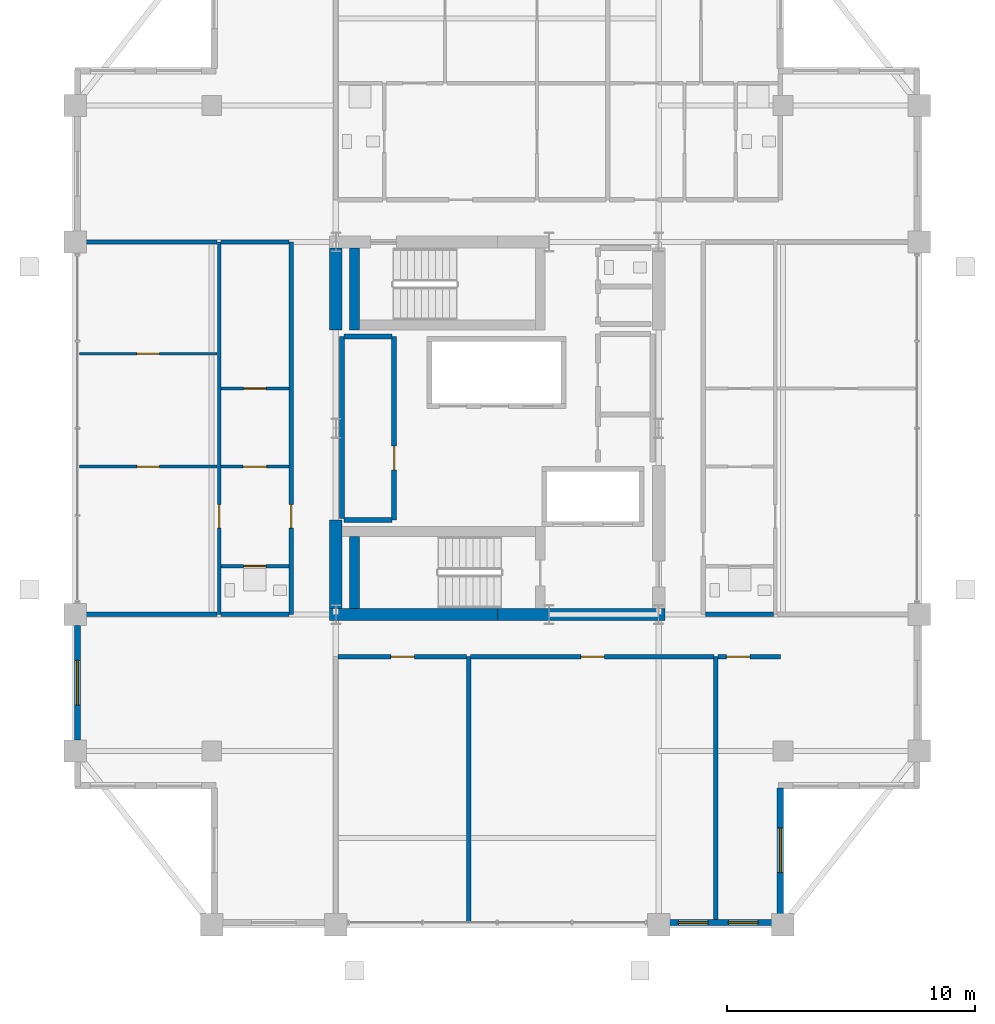
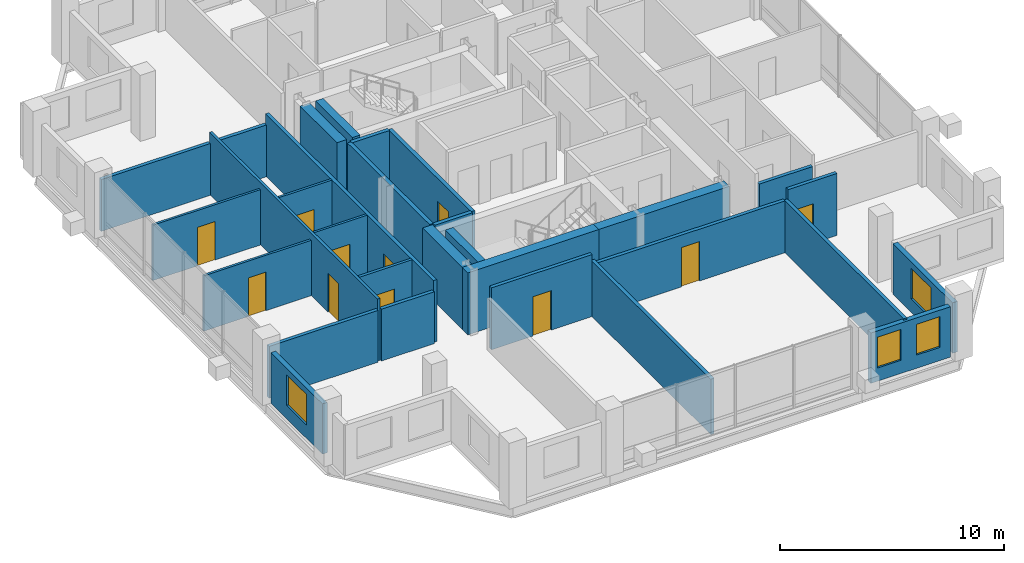
# One storey, part 16 of 21: 30 walls, 11 doors, 4 windows, 15 openings.
"""IFC4 building model written with IfcOpenShell, lengths in metres."""

from ifc_helpers import new_model, si_unit, direction, frame, frame_2d, origin, place, context, subcontext, project, spatial, rectangle, extrude, material, layer, layer_set, type_object, element, fill, save


model = new_model("IFC4")

# Units and contexts
model_context = context("Model", 3, precision=1e-05, world=origin(), true_north=direction((0.0, 1.0)))
body_context = subcontext(model_context, "Body", "Model", "MODEL_VIEW")
ifc_project = project(units=[si_unit("LENGTHUNIT", "METRE"), si_unit("AREAUNIT", "SQUARE_METRE"), si_unit("VOLUMEUNIT", "CUBIC_METRE"), si_unit("PLANEANGLEUNIT", "RADIAN"), si_unit("MASSUNIT", "GRAM", prefix="KILO")], contexts=[model_context])

# Site, building, storey
site_placement = place(None, origin())
site = spatial("IfcSite", under=ifc_project, at=site_placement, CompositionType="ELEMENT")
building_placement = place(site_placement, origin())
building = spatial("IfcBuilding", under=site, at=building_placement, Name="Barlavira Tower and Art Museum", CompositionType="ELEMENT")
storey_placement = place(building_placement, frame((0.0, 0.0, 254.699951171875)))
storey = spatial("IfcBuildingStorey", under=building, at=storey_placement, Name="L66", CompositionType="ELEMENT", Elevation=254.699951171875)

# Wall, opening, door
ifc_material_1 = material(Name="Gypsum acoustic stud partition", Category="gypsum")
ifc_layer_1 = layer(ifc_material_1, 0.1201171875, Name="Gypsum acoustic stud partition")
ifc_layer_set_1 = layer_set([ifc_layer_1], Name="Gypsum acoustic stud partition")
wall_type_1 = type_object("IfcWallType", Name="Apartment Internal Acoustic Partition 120", PredefinedType="PARTITIONING", material=ifc_layer_set_1)
wall_1_placement = place(storey_placement, frame((-16.820068359375, -1.550048828125, 0.0), z_axis=(0.0, 0.0, 1.0), x_axis=(1.0, 0.0, 0.0)))
wall_1 = element("IfcWall", 1, at=wall_1_placement, inside=storey, type_object=wall_type_1, Name="L66 Partition Wall 32", PredefinedType="PARTITIONING", context=body_context, shape_type="SweptSolid", body=[
    extrude(rectangle(XDim=5.5400390625, YDim=0.1201171875, at=frame_2d((2.77001953125, 0.0))), origin(), (0.0, 0.0, 1.0), 3.01806640625),
])
opening_1_placement = place(wall_1_placement, frame((2.31005859375, 0.0, 0.0)))
opening_1 = element("IfcOpeningElement", 2, at=opening_1_placement, cuts=wall_1, Name="Opening D-01", PredefinedType="OPENING", context=body_context, shape_type="SweptSolid", body=[
    extrude(rectangle(XDim=0.89990234375, YDim=2.10009765625, at=frame_2d((0.449951171875, 1.050048828125))), frame((0.0, 0.070068359375, 0.0), z_axis=(0.0, -1.0, 0.0), x_axis=(1.0, 0.0, 0.0)), (0.0, 0.0, 1.0), 0.14013671875),
])
ifc_material_2 = material(Name="Engineered coastal hardwood", Category="wood")
door_type_1 = type_object("IfcDoorType", Name="Internal Bedroom Timber Flush Door 900x2100", OperationType="NOTDEFINED", PredefinedType="DOOR", material=ifc_material_2)
door_1_placement = place(opening_1_placement, origin())
door_1 = element("IfcDoor", 3, at=door_1_placement, inside=storey, type_object=door_type_1, Name="Apartment W1 Bedroom 1 Door", OperationType="SINGLE_SWING_RIGHT", OverallHeight=2.10009765625, OverallWidth=0.89990234375, PredefinedType="DOOR", context=body_context, shape_type="SweptSolid", body=[
    extrude(rectangle(XDim=0.89990234375, YDim=2.10009765625, at=frame_2d((0.449951171875, 1.050048828125))), frame((0.0, 0.02490234375, 0.0), z_axis=(0.0, -1.0, 0.0), x_axis=(1.0, 0.0, 0.0)), (0.0, 0.0, 1.0), 0.050048828125),
])
fill(opening_1, door_1)

wall_2_placement = place(storey_placement, frame((-11.1201171875, -1.550048828125, 0.0), z_axis=(0.0, 0.0, 1.0), x_axis=(1.0, 0.0, 0.0)))
wall_2 = element("IfcWall", 4, at=wall_2_placement, inside=storey, type_object=wall_type_1, Name="L66 Partition Wall 33", PredefinedType="PARTITIONING", context=body_context, shape_type="SweptSolid", body=[
    extrude(rectangle(XDim=2.740234375, YDim=0.1201171875, at=frame_2d((1.3701171875, 0.0))), origin(), (0.0, 0.0, 1.0), 3.380126953125),
])
opening_2_placement = place(wall_2_placement, frame((0.885009765625, 0.0, 0.0)))
opening_2 = element("IfcOpeningElement", 5, at=opening_2_placement, cuts=wall_2, Name="Opening D-02", PredefinedType="OPENING", context=body_context, shape_type="SweptSolid", body=[
    extrude(rectangle(XDim=0.949951171875, YDim=2.10009765625, at=frame_2d((0.47509765625, 1.050048828125))), frame((0.0, 0.070068359375, 0.0), z_axis=(0.0, -1.0, 0.0), x_axis=(1.0, 0.0, 0.0)), (0.0, 0.0, 1.0), 0.14013671875),
])
door_type_2 = type_object("IfcDoorType", Name="Living and Salon Glazed-Leaf Door 950x2100", OperationType="NOTDEFINED", PredefinedType="DOOR", material=ifc_material_2)
door_2_placement = place(opening_2_placement, origin())
door_2 = element("IfcDoor", 6, at=door_2_placement, inside=storey, type_object=door_type_2, Name="Apartment W1 Kitchen Door", OperationType="SINGLE_SWING_LEFT", OverallHeight=2.10009765625, OverallWidth=0.949951171875, PredefinedType="DOOR", context=body_context, shape_type="SweptSolid", body=[
    extrude(rectangle(XDim=0.949951171875, YDim=2.10009765625, at=frame_2d((0.47509765625, 1.050048828125))), frame((0.0, 0.02490234375, 0.0), z_axis=(0.0, -1.0, 0.0), x_axis=(1.0, 0.0, 0.0)), (0.0, 0.0, 1.0), 0.050048828125),
])
fill(opening_2, door_2)

wall_3_placement = place(storey_placement, frame((-11.1201171875, 1.60009765625, 0.0), z_axis=(0.0, 0.0, 1.0), x_axis=(1.0, 0.0, 0.0)))
wall_3 = element("IfcWall", 7, at=wall_3_placement, inside=storey, type_object=wall_type_1, Name="L66 Partition Wall 36", PredefinedType="PARTITIONING", context=body_context, shape_type="SweptSolid", body=[
    extrude(rectangle(XDim=2.740234375, YDim=0.1201171875, at=frame_2d((1.3701171875, 0.0))), origin(), (0.0, 0.0, 1.0), 3.380126953125),
])
opening_3_placement = place(wall_3_placement, frame((0.909912109375, 0.0, 0.0)))
opening_3 = element("IfcOpeningElement", 8, at=opening_3_placement, cuts=wall_3, Name="Opening D-01", PredefinedType="OPENING", context=body_context, shape_type="SweptSolid", body=[
    extrude(rectangle(XDim=0.89990234375, YDim=2.10009765625, at=frame_2d((0.449951171875, 1.050048828125))), frame((0.0, 0.070068359375, 0.0), z_axis=(0.0, -1.0, 0.0), x_axis=(1.0, 0.0, 0.0)), (0.0, 0.0, 1.0), 0.14013671875),
])
door_3_placement = place(opening_3_placement, origin())
door_3 = element("IfcDoor", 9, at=door_3_placement, inside=storey, type_object=door_type_1, Name="Apartment W1 Walk-In Dressing Room Door", OperationType="SINGLE_SWING_RIGHT", OverallHeight=2.10009765625, OverallWidth=0.89990234375, PredefinedType="DOOR", context=body_context, shape_type="SweptSolid", body=[
    extrude(rectangle(XDim=0.89990234375, YDim=2.10009765625, at=frame_2d((0.449951171875, 1.050048828125))), frame((0.0, 0.02490234375, 0.0), z_axis=(0.0, -1.0, 0.0), x_axis=(1.0, 0.0, 0.0)), (0.0, 0.0, 1.0), 0.050048828125),
])
fill(opening_3, door_3)

wall_4_placement = place(storey_placement, frame((-16.820068359375, 3.0, 0.0), z_axis=(0.0, 0.0, 1.0), x_axis=(1.0, 0.0, 0.0)))
wall_4 = element("IfcWall", 10, at=wall_4_placement, inside=storey, type_object=wall_type_1, Name="L66 Partition Wall 39", PredefinedType="PARTITIONING", context=body_context, shape_type="SweptSolid", body=[
    extrude(rectangle(XDim=5.5400390625, YDim=0.1201171875, at=frame_2d((2.77001953125, 0.0))), origin(), (0.0, 0.0, 1.0), 3.01806640625),
])
opening_4_placement = place(wall_4_placement, frame((2.31005859375, 0.0, 0.0)))
opening_4 = element("IfcOpeningElement", 11, at=opening_4_placement, cuts=wall_4, Name="Opening D-01", PredefinedType="OPENING", context=body_context, shape_type="SweptSolid", body=[
    extrude(rectangle(XDim=0.89990234375, YDim=2.10009765625, at=frame_2d((0.449951171875, 1.050048828125))), frame((0.0, 0.070068359375, 0.0), z_axis=(0.0, -1.0, 0.0), x_axis=(1.0, 0.0, 0.0)), (0.0, 0.0, 1.0), 0.14013671875),
])
door_4_placement = place(opening_4_placement, origin())
door_4 = element("IfcDoor", 12, at=door_4_placement, inside=storey, type_object=door_type_1, Name="Apartment W1 Bedroom 2 Door", OperationType="SINGLE_SWING_LEFT", OverallHeight=2.10009765625, OverallWidth=0.89990234375, PredefinedType="DOOR", context=body_context, shape_type="SweptSolid", body=[
    extrude(rectangle(XDim=0.89990234375, YDim=2.10009765625, at=frame_2d((0.449951171875, 1.050048828125))), frame((0.0, 0.02490234375, 0.0), z_axis=(0.0, -1.0, 0.0), x_axis=(1.0, 0.0, 0.0)), (0.0, 0.0, 1.0), 0.050048828125),
])
fill(opening_4, door_4)

# Walls
ifc_material_3 = material(Name="Concrete C60", Category="concrete")
ifc_layer_2 = layer(ifc_material_3, 0.5, Name="Concrete C60")
ifc_layer_set_2 = layer_set([ifc_layer_2], Name="Concrete C60")
wall_type_2 = type_object("IfcWallType", Name="Core Structural Shear Wall 500 Concrete C60", PredefinedType="SHEAR", material=ifc_layer_set_2)
for number, where, z_axis, x_axis, name in (
    (13, (-6.75, -7.5, 0.0), (0.0, 0.0, 1.0), (1.0, 0.0, 0.0), "L66 Core Shear Wall CS-SW"),
    (14, (0.0, -7.5, 0.0), (0.0, 0.0, 1.0), (1.0, 0.0, 0.0), "L66 Core Shear Wall CS-SE"),
):
    element("IfcWall", number, at=place(storey_placement, frame(where, z_axis=z_axis, x_axis=x_axis)), inside=storey, type_object=wall_type_2, Name=name, PredefinedType="SHEAR", context=body_context, shape_type="SweptSolid", body=[
        extrude(rectangle(XDim=6.75, YDim=0.5, at=frame_2d((3.375, 0.0))), origin(), (0.0, 0.0, 1.0), 3.380126953125),
    ])
wall_5_placement = place(storey_placement, frame((-6.5, -7.25, 0.0), z_axis=(0.0, 0.0, 1.0), x_axis=(0.0, 1.0, 0.0)))
element("IfcWall", 15, at=wall_5_placement, inside=storey, type_object=wall_type_2, Name="L66 Core Shear Wall CS-W1", PredefinedType="SHEAR", context=body_context, shape_type="SweptSolid", body=[
    extrude(rectangle(XDim=3.550048828125, YDim=0.5, at=frame_2d((1.77490234375, 0.0))), origin(), (0.0, 0.0, 1.0), 3.380126953125),
])
wall_6_placement = place(storey_placement, frame((-6.5, 3.949951171875, 0.0), z_axis=(0.0, 0.0, 1.0), x_axis=(0.0, 1.0, 0.0)))
element("IfcWall", 16, at=wall_6_placement, inside=storey, type_object=wall_type_2, Name="L66 Core Shear Wall CS-W2", PredefinedType="SHEAR", context=body_context, shape_type="SweptSolid", body=[
    extrude(rectangle(XDim=3.300048828125, YDim=0.5, at=frame_2d((1.64990234375, 0.0))), origin(), (0.0, 0.0, 1.0), 3.380126953125),
])
ifc_material_4 = material(Name="Autoclaved aerated concrete masonry", Category="masonry")
ifc_layer_3 = layer(ifc_material_4, 0.199951171875, Name="Autoclaved aerated concrete masonry")
ifc_layer_set_3 = layer_set([ifc_layer_3], Name="Autoclaved aerated concrete masonry")
wall_type_3 = type_object("IfcWallType", Name="Fire Compartment and Shaft Wall 200", PredefinedType="SOLIDWALL", material=ifc_layer_set_3)
wall_7_placement = place(storey_placement, frame((-6.25, -3.639892578125, 0.0), z_axis=(0.0, 0.0, 1.0), x_axis=(0.0, 1.0, 0.0)))
element("IfcWall", 17, at=wall_7_placement, inside=storey, type_object=wall_type_3, Name="L66 Partition Wall 5", PredefinedType="SOLIDWALL", context=body_context, shape_type="SweptSolid", body=[
    extrude(rectangle(XDim=7.33984375, YDim=0.199951171875, at=frame_2d((3.669921875, 0.0))), origin(), (0.0, 0.0, 1.0), 3.380126953125),
])

# Wall, opening, door
wall_8_placement = place(storey_placement, frame((-4.14990234375, -3.699951171875, 0.0), z_axis=(0.0, 0.0, 1.0), x_axis=(0.0, 1.0, 0.0)))
wall_8 = element("IfcWall", 18, at=wall_8_placement, inside=storey, type_object=wall_type_3, Name="L66 Partition Wall 7", PredefinedType="SOLIDWALL", context=body_context, shape_type="SweptSolid", body=[
    extrude(rectangle(XDim=7.39990234375, YDim=0.199951171875, at=frame_2d((3.699951171875, 0.0))), origin(), (0.0, 0.0, 1.0), 3.380126953125),
])
opening_5_placement = place(wall_8_placement, frame((2.02490234375, 0.0, 0.0)))
opening_5 = element("IfcOpeningElement", 19, at=opening_5_placement, cuts=wall_8, Name="Opening FD-60", PredefinedType="OPENING", context=body_context, shape_type="SweptSolid", body=[
    extrude(rectangle(XDim=0.949951171875, YDim=2.14990234375, at=frame_2d((0.47509765625, 1.074951171875))), frame((0.0, 0.10986328125, 0.0), z_axis=(0.0, -1.0, 0.0), x_axis=(1.0, 0.0, 0.0)), (0.0, 0.0, 1.0), 0.219970703125),
])
ifc_material_5 = material(Name="Brushed stainless steel", Category="steel")
door_type_3 = type_object("IfcDoorType", Name="Apartment Entrance and Riser Fire Door 950x2150 FD60S", OperationType="NOTDEFINED", PredefinedType="DOOR", material=ifc_material_5)
door_5_placement = place(opening_5_placement, origin())
door_5 = element("IfcDoor", 20, at=door_5_placement, inside=storey, type_object=door_type_3, Name="Reclaimed Core Tenant Storage Vault Door", OperationType="SINGLE_SWING_RIGHT", OverallHeight=2.14990234375, OverallWidth=0.949951171875, PredefinedType="DOOR", context=body_context, shape_type="SweptSolid", body=[
    extrude(rectangle(XDim=0.949951171875, YDim=2.14990234375, at=frame_2d((0.47509765625, 1.074951171875))), frame((0.0, 0.02490234375, 0.0), z_axis=(0.0, -1.0, 0.0), x_axis=(1.0, 0.0, 0.0)), (0.0, 0.0, 1.0), 0.050048828125),
])
fill(opening_5, door_5)

# Walls
for number, where, z_axis, x_axis, name in (
    (21, (-6.169921875, -3.699951171875, 0.0), (0.0, 0.0, 1.0), (1.0, 0.0, 0.0), "L66 Partition Wall 31"),
    (22, (-6.169921875, 3.699951171875, 0.0), (0.0, 0.0, 1.0), (1.0, 0.0, 0.0), "L66 Partition Wall 40"),
):
    element("IfcWall", number, at=place(storey_placement, frame(where, z_axis=z_axis, x_axis=x_axis)), inside=storey, type_object=wall_type_3, Name=name, PredefinedType="SOLIDWALL", context=body_context, shape_type="SweptSolid", body=[
        extrude(rectangle(XDim=1.93994140625, YDim=0.199951171875, at=frame_2d((0.969970703125, 0.0))), origin(), (0.0, 0.0, 1.0), 3.380126953125),
    ])

# Wall, opening, door
ifc_layer_4 = layer(ifc_material_1, 0.179931640625, Name="Gypsum acoustic stud partition")
ifc_layer_set_4 = layer_set([ifc_layer_4], Name="Gypsum acoustic stud partition")
wall_type_4 = type_object("IfcWallType", Name="Inter-Tenancy Party Partition Wall 180", PredefinedType="PARTITIONING", material=ifc_layer_set_4)
wall_9_placement = place(storey_placement, frame((-8.300048828125, -7.5, 0.0), z_axis=(0.0, 0.0, 1.0), x_axis=(0.0, 1.0, 0.0)))
wall_9 = element("IfcWall", 23, at=wall_9_placement, inside=storey, type_object=wall_type_4, Name="L66 Partition Wall 2", PredefinedType="PARTITIONING", context=body_context, shape_type="SweptSolid", body=[
    extrude(rectangle(XDim=15.0, YDim=0.179931640625, at=frame_2d((7.5, 0.0))), origin(), (0.0, 0.0, 1.0), 3.380126953125),
])
opening_6_placement = place(wall_9_placement, frame((3.47509765625, 0.0, 0.0)))
opening_6 = element("IfcOpeningElement", 24, at=opening_6_placement, cuts=wall_9, Name="Opening FD-60", PredefinedType="OPENING", context=body_context, shape_type="SweptSolid", body=[
    extrude(rectangle(XDim=0.949951171875, YDim=2.14990234375, at=frame_2d((0.47509765625, 1.074951171875))), frame((0.0, 0.10009765625, 0.0), z_axis=(0.0, -1.0, 0.0), x_axis=(1.0, 0.0, 0.0)), (0.0, 0.0, 1.0), 0.199951171875),
])
door_6_placement = place(opening_6_placement, origin())
door_6 = element("IfcDoor", 25, at=door_6_placement, inside=storey, type_object=door_type_3, Name="Apartment Entrance Hall W1 Door", OperationType="SINGLE_SWING_RIGHT", OverallHeight=2.14990234375, OverallWidth=0.949951171875, PredefinedType="DOOR", context=body_context, shape_type="SweptSolid", body=[
    extrude(rectangle(XDim=0.949951171875, YDim=2.14990234375, at=frame_2d((0.47509765625, 1.074951171875))), frame((0.0, 0.02490234375, 0.0), z_axis=(0.0, -1.0, 0.0), x_axis=(1.0, 0.0, 0.0)), (0.0, 0.0, 1.0), 0.050048828125),
])
fill(opening_6, door_6)

# Walls
wall_10_placement = place(storey_placement, frame((-1.14990234375, -19.89990234375, 0.0), z_axis=(0.0, 0.0, 1.0), x_axis=(0.0, 1.0, 0.0)))
element("IfcWall", 26, at=wall_10_placement, inside=storey, type_object=wall_type_4, Name="L66 Partition Wall 9", PredefinedType="PARTITIONING", context=body_context, shape_type="SweptSolid", body=[
    extrude(rectangle(XDim=10.699951171875, YDim=0.179931640625, at=frame_2d((5.35009765625, 0.0))), origin(), (0.0, 0.0, 1.0), 3.01806640625),
])
wall_11_placement = place(storey_placement, frame((8.800048828125, -19.89990234375, 0.0), z_axis=(0.0, 0.0, 1.0), x_axis=(0.0, 1.0, 0.0)))
element("IfcWall", 27, at=wall_11_placement, inside=storey, type_object=wall_type_4, Name="L66 Partition Wall 18", PredefinedType="PARTITIONING", context=body_context, shape_type="SweptSolid", body=[
    extrude(rectangle(XDim=10.699951171875, YDim=0.179931640625, at=frame_2d((5.35009765625, 0.0))), origin(), (0.0, 0.0, 1.0), 2.825927734375),
])

# Wall, opening, door
wall_12_placement = place(storey_placement, frame((-6.419921875, -9.199951171875, 0.0), z_axis=(0.0, 0.0, 1.0), x_axis=(1.0, 0.0, 0.0)))
wall_12 = element("IfcWall", 28, at=wall_12_placement, inside=storey, type_object=wall_type_4, Name="L66 Partition Wall 22", PredefinedType="PARTITIONING", context=body_context, shape_type="SweptSolid", body=[
    extrude(rectangle(XDim=5.18994140625, YDim=0.179931640625, at=frame_2d((2.594970703125, 0.0))), origin(), (0.0, 0.0, 1.0), 3.380126953125),
])
opening_7_placement = place(wall_12_placement, frame((2.135009765625, 0.0, 0.0)))
opening_7 = element("IfcOpeningElement", 29, at=opening_7_placement, cuts=wall_12, Name="Opening FD-60", PredefinedType="OPENING", context=body_context, shape_type="SweptSolid", body=[
    extrude(rectangle(XDim=0.949951171875, YDim=2.14990234375, at=frame_2d((0.47509765625, 1.074951171875))), frame((0.0, 0.10009765625, 0.0), z_axis=(0.0, -1.0, 0.0), x_axis=(1.0, 0.0, 0.0)), (0.0, 0.0, 1.0), 0.199951171875),
])
door_7_placement = place(opening_7_placement, origin())
door_7 = element("IfcDoor", 30, at=door_7_placement, inside=storey, type_object=door_type_3, Name="Resident Sky Coworking Studio Door", OperationType="SINGLE_SWING_LEFT", OverallHeight=2.14990234375, OverallWidth=0.949951171875, PredefinedType="DOOR", context=body_context, shape_type="SweptSolid", body=[
    extrude(rectangle(XDim=0.949951171875, YDim=2.14990234375, at=frame_2d((0.47509765625, 1.074951171875))), frame((0.0, 0.02490234375, 0.0), z_axis=(0.0, -1.0, 0.0), x_axis=(1.0, 0.0, 0.0)), (0.0, 0.0, 1.0), 0.050048828125),
])
fill(opening_7, door_7)

wall_13_placement = place(storey_placement, frame((-1.070068359375, -9.199951171875, 0.0), z_axis=(0.0, 0.0, 1.0), x_axis=(1.0, 0.0, 0.0)))
wall_13 = element("IfcWall", 31, at=wall_13_placement, inside=storey, type_object=wall_type_4, Name="L66 Partition Wall 23", PredefinedType="PARTITIONING", context=body_context, shape_type="SweptSolid", body=[
    extrude(rectangle(XDim=9.7900390625, YDim=0.179931640625, at=frame_2d((4.89501953125, 0.0))), origin(), (0.0, 0.0, 1.0), 2.825927734375),
])
opening_8_placement = place(wall_13_placement, frame((4.43505859375, 0.0, 0.0)))
opening_8 = element("IfcOpeningElement", 32, at=opening_8_placement, cuts=wall_13, Name="Opening FD-60", PredefinedType="OPENING", context=body_context, shape_type="SweptSolid", body=[
    extrude(rectangle(XDim=0.949951171875, YDim=2.14990234375, at=frame_2d((0.47509765625, 1.074951171875))), frame((0.0, 0.10009765625, 0.0), z_axis=(0.0, -1.0, 0.0), x_axis=(1.0, 0.0, 0.0)), (0.0, 0.0, 1.0), 0.199951171875),
])
door_8_placement = place(opening_8_placement, origin())
door_8 = element("IfcDoor", 33, at=door_8_placement, inside=storey, type_object=door_type_3, Name="Atlantic Horizon Boardroom Door", OperationType="SINGLE_SWING_RIGHT", OverallHeight=2.14990234375, OverallWidth=0.949951171875, PredefinedType="DOOR", context=body_context, shape_type="SweptSolid", body=[
    extrude(rectangle(XDim=0.949951171875, YDim=2.14990234375, at=frame_2d((0.47509765625, 1.074951171875))), frame((0.0, 0.02490234375, 0.0), z_axis=(0.0, -1.0, 0.0), x_axis=(1.0, 0.0, 0.0)), (0.0, 0.0, 1.0), 0.050048828125),
])
fill(opening_8, door_8)

wall_14_placement = place(storey_placement, frame((8.8798828125, -9.199951171875, 0.0), z_axis=(0.0, 0.0, 1.0), x_axis=(1.0, 0.0, 0.0)))
wall_14 = element("IfcWall", 34, at=wall_14_placement, inside=storey, type_object=wall_type_4, Name="L66 Partition Wall 24", PredefinedType="PARTITIONING", context=body_context, shape_type="SweptSolid", body=[
    extrude(rectangle(XDim=2.52001953125, YDim=0.179931640625, at=frame_2d((1.260009765625, 0.0))), origin(), (0.0, 0.0, 1.0), 3.380126953125),
])
opening_9_placement = place(wall_14_placement, frame((0.344970703125, 0.0, 0.0)))
opening_9 = element("IfcOpeningElement", 35, at=opening_9_placement, cuts=wall_14, Name="Opening FD-60", PredefinedType="OPENING", context=body_context, shape_type="SweptSolid", body=[
    extrude(rectangle(XDim=0.949951171875, YDim=2.14990234375, at=frame_2d((0.47509765625, 1.074951171875))), frame((0.0, 0.10009765625, 0.0), z_axis=(0.0, -1.0, 0.0), x_axis=(1.0, 0.0, 0.0)), (0.0, 0.0, 1.0), 0.199951171875),
])
door_9_placement = place(opening_9_placement, origin())
door_9 = element("IfcDoor", 36, at=door_9_placement, inside=storey, type_object=door_type_3, Name="Shared Coworking Espresso Pantry Door", OperationType="SINGLE_SWING_LEFT", OverallHeight=2.14990234375, OverallWidth=0.949951171875, PredefinedType="DOOR", context=body_context, shape_type="SweptSolid", body=[
    extrude(rectangle(XDim=0.949951171875, YDim=2.14990234375, at=frame_2d((0.47509765625, 1.074951171875))), frame((0.0, 0.02490234375, 0.0), z_axis=(0.0, -1.0, 0.0), x_axis=(1.0, 0.0, 0.0)), (0.0, 0.0, 1.0), 0.050048828125),
])
fill(opening_9, door_9)

# Walls
wall_15_placement = place(storey_placement, frame((-16.89990234375, -7.5, 0.0), z_axis=(0.0, 0.0, 1.0), x_axis=(1.0, 0.0, 0.0)))
element("IfcWall", 37, at=wall_15_placement, inside=storey, type_object=wall_type_4, Name="L66 Partition Wall 25", PredefinedType="PARTITIONING", context=body_context, shape_type="SweptSolid", body=[
    extrude(rectangle(XDim=5.619873046875, YDim=0.179931640625, at=frame_2d((2.81005859375, 0.0))), origin(), (0.0, 0.0, 1.0), 2.825927734375),
])
for number, where, z_axis, x_axis, name in (
    (38, (-11.1201171875, -7.5, 0.0), (0.0, 0.0, 1.0), (1.0, 0.0, 0.0), "L66 Partition Wall 26"),
    (39, (8.3798828125, -7.5, 0.0), (0.0, 0.0, 1.0), (1.0, 0.0, 0.0), "L66 Partition Wall 27"),
):
    element("IfcWall", number, at=place(storey_placement, frame(where, z_axis=z_axis, x_axis=x_axis)), inside=storey, type_object=wall_type_4, Name=name, PredefinedType="PARTITIONING", context=body_context, shape_type="SweptSolid", body=[
        extrude(rectangle(XDim=2.740234375, YDim=0.179931640625, at=frame_2d((1.3701171875, 0.0))), origin(), (0.0, 0.0, 1.0), 2.825927734375),
    ])
wall_16_placement = place(storey_placement, frame((-16.89990234375, 7.5, 0.0), z_axis=(0.0, 0.0, 1.0), x_axis=(1.0, 0.0, 0.0)))
element("IfcWall", 40, at=wall_16_placement, inside=storey, type_object=wall_type_4, Name="L66 Partition Wall 45", PredefinedType="PARTITIONING", context=body_context, shape_type="SweptSolid", body=[
    extrude(rectangle(XDim=5.619873046875, YDim=0.179931640625, at=frame_2d((2.81005859375, 0.0))), origin(), (0.0, 0.0, 1.0), 2.825927734375),
])
wall_17_placement = place(storey_placement, frame((-11.1201171875, 7.5, 0.0), z_axis=(0.0, 0.0, 1.0), x_axis=(1.0, 0.0, 0.0)))
element("IfcWall", 41, at=wall_17_placement, inside=storey, type_object=wall_type_4, Name="L66 Partition Wall 46", PredefinedType="PARTITIONING", context=body_context, shape_type="SweptSolid", body=[
    extrude(rectangle(XDim=2.740234375, YDim=0.179931640625, at=frame_2d((1.3701171875, 0.0))), origin(), (0.0, 0.0, 1.0), 2.825927734375),
])

# Wall, opening, door
ifc_layer_5 = layer(ifc_material_1, 0.139892578125, Name="Gypsum acoustic stud partition")
ifc_layer_set_5 = layer_set([ifc_layer_5], Name="Gypsum acoustic stud partition")
wall_type_5 = type_object("IfcWallType", Name="Moisture-Resistant Bathroom Partition 140", PredefinedType="PARTITIONING", material=ifc_layer_set_5)
wall_18_placement = place(storey_placement, frame((-11.199951171875, -7.5, 0.0), z_axis=(0.0, 0.0, 1.0), x_axis=(0.0, 1.0, 0.0)))
wall_18 = element("IfcWall", 42, at=wall_18_placement, inside=storey, type_object=wall_type_5, Name="L66 Partition Wall 1", PredefinedType="PARTITIONING", context=body_context, shape_type="SweptSolid", body=[
    extrude(rectangle(XDim=15.0, YDim=0.139892578125, at=frame_2d((7.5, 0.0))), origin(), (0.0, 0.0, 1.0), 3.380126953125),
])
opening_10_placement = place(wall_18_placement, frame((3.47509765625, 0.0, 0.0)))
opening_10 = element("IfcOpeningElement", 43, at=opening_10_placement, cuts=wall_18, Name="Opening D-02", PredefinedType="OPENING", context=body_context, shape_type="SweptSolid", body=[
    extrude(rectangle(XDim=0.949951171875, YDim=2.10009765625, at=frame_2d((0.47509765625, 1.050048828125))), frame((0.0, 0.080078125, 0.0), z_axis=(0.0, -1.0, 0.0), x_axis=(1.0, 0.0, 0.0)), (0.0, 0.0, 1.0), 0.159912109375),
])
door_10_placement = place(opening_10_placement, origin())
door_10 = element("IfcDoor", 44, at=door_10_placement, inside=storey, type_object=door_type_2, Name="Apartment W1 Living Lounge Door", OperationType="SINGLE_SWING_LEFT", OverallHeight=2.10009765625, OverallWidth=0.949951171875, PredefinedType="DOOR", context=body_context, shape_type="SweptSolid", body=[
    extrude(rectangle(XDim=0.949951171875, YDim=2.10009765625, at=frame_2d((0.47509765625, 1.050048828125))), frame((0.0, 0.02490234375, 0.0), z_axis=(0.0, -1.0, 0.0), x_axis=(1.0, 0.0, 0.0)), (0.0, 0.0, 1.0), 0.050048828125),
])
fill(opening_10, door_10)

wall_19_placement = place(storey_placement, frame((-11.1201171875, -5.550048828125, 0.0), z_axis=(0.0, 0.0, 1.0), x_axis=(1.0, 0.0, 0.0)))
wall_19 = element("IfcWall", 45, at=wall_19_placement, inside=storey, type_object=wall_type_5, Name="L66 Partition Wall 29", PredefinedType="PARTITIONING", context=body_context, shape_type="SweptSolid", body=[
    extrude(rectangle(XDim=2.740234375, YDim=0.139892578125, at=frame_2d((1.3701171875, 0.0))), origin(), (0.0, 0.0, 1.0), 3.380126953125),
])
opening_11_placement = place(wall_19_placement, frame((0.909912109375, 0.0, 0.0)))
opening_11 = element("IfcOpeningElement", 46, at=opening_11_placement, cuts=wall_19, Name="Opening D-WC", PredefinedType="OPENING", context=body_context, shape_type="SweptSolid", body=[
    extrude(rectangle(XDim=0.89990234375, YDim=2.10009765625, at=frame_2d((0.449951171875, 1.050048828125))), frame((0.0, 0.080078125, 0.0), z_axis=(0.0, -1.0, 0.0), x_axis=(1.0, 0.0, 0.0)), (0.0, 0.0, 1.0), 0.159912109375),
])
door_type_4 = type_object("IfcDoorType", Name="Accessible Bathroom Flush Door 900x2100", OperationType="NOTDEFINED", PredefinedType="DOOR", material=ifc_material_2)
door_11_placement = place(opening_11_placement, origin())
door_11 = element("IfcDoor", 47, at=door_11_placement, inside=storey, type_object=door_type_4, Name="Apartment W1 Hall Bathroom Door", OperationType="SINGLE_SWING_LEFT", OverallHeight=2.10009765625, OverallWidth=0.89990234375, PredefinedType="DOOR", context=body_context, shape_type="SweptSolid", body=[
    extrude(rectangle(XDim=0.89990234375, YDim=2.10009765625, at=frame_2d((0.449951171875, 1.050048828125))), frame((0.0, 0.02490234375, 0.0), z_axis=(0.0, -1.0, 0.0), x_axis=(1.0, 0.0, 0.0)), (0.0, 0.0, 1.0), 0.050048828125),
])
fill(opening_11, door_11)

# Wall, openings, windows
ifc_material_6 = material(Name="Precast concrete C40", Category="concrete")
ifc_layer_6 = layer(ifc_material_6, 0.25, Name="Precast concrete C40")
ifc_layer_set_6 = layer_set([ifc_layer_6], Name="Precast concrete C40")
wall_type_6 = type_object("IfcWallType", Name="Notched Corner Spandrel Wall 250 Precast Concrete C40", PredefinedType="SOLIDWALL", material=ifc_layer_set_6)
wall_20_placement = place(storey_placement, frame((6.945068359375, -19.89990234375, 0.0), z_axis=(0.0, 0.0, 1.0), x_axis=(1.0, 0.0, 0.0)))
wall_20 = element("IfcWall", 48, at=wall_20_placement, inside=storey, type_object=wall_type_6, Name="L66 Coastal Facade Pier Wall CW4-L66-S-3", PredefinedType="SOLIDWALL", context=body_context, shape_type="SweptSolid", body=[
    extrude(rectangle(XDim=4.10986328125, YDim=0.25, at=frame_2d((2.054931640625, 0.0))), origin(), (0.0, 0.0, 1.0), 2.748046875),
])
opening_12_placement = place(wall_20_placement, frame((0.35009765625, 0.0, 0.719970703125)))
opening_12 = element("IfcOpeningElement", 49, at=opening_12_placement, cuts=wall_20, Name="Opening WN-05", PredefinedType="OPENING", context=body_context, shape_type="SweptSolid", body=[
    extrude(rectangle(XDim=1.199951171875, YDim=1.679931640625, at=frame_2d((0.60009765625, 0.83984375))), frame((0.0, 0.135009765625, 0.0), z_axis=(0.0, -1.0, 0.0), x_axis=(1.0, 0.0, 0.0)), (0.0, 0.0, 1.0), 0.27001953125),
])
opening_13_placement = place(wall_20_placement, frame((2.360107421875, 0.0, 0.719970703125)))
opening_13 = element("IfcOpeningElement", 50, at=opening_13_placement, cuts=wall_20, Name="Opening WN-05", PredefinedType="OPENING", context=body_context, shape_type="SweptSolid", body=[
    extrude(rectangle(XDim=1.199951171875, YDim=1.679931640625, at=frame_2d((0.60009765625, 0.83984375))), frame((0.0, 0.135009765625, 0.0), z_axis=(0.0, -1.0, 0.0), x_axis=(1.0, 0.0, 0.0)), (0.0, 0.0, 1.0), 0.27001953125),
])
ifc_material_7 = material(Name="Low-iron coastal laminated glass", Category="glass")
window_type_1 = type_object("IfcWindowType", Name="Recessed Flank Pier Punch Window 1200x1680", PartitioningType="SINGLE_PANEL", PredefinedType="WINDOW", material=ifc_material_7)
window_1_placement = place(opening_12_placement, origin())
window_1 = element("IfcWindow", 51, at=window_1_placement, inside=storey, type_object=window_type_1, Name="L66 Punched Facade Window EWP-CW4-L66-S-3-1", OverallHeight=1.679931640625, OverallWidth=1.199951171875, PartitioningType="SINGLE_PANEL", PredefinedType="WINDOW", context=body_context, shape_type="SweptSolid", body=[
    extrude(rectangle(XDim=1.199951171875, YDim=1.679931640625, at=frame_2d((0.60009765625, 0.83984375))), frame((0.0, 0.030029296875, 0.0), z_axis=(0.0, -1.0, 0.0), x_axis=(1.0, 0.0, 0.0)), (0.0, 0.0, 1.0), 0.06005859375),
])
fill(opening_12, window_1)
window_2_placement = place(opening_13_placement, origin())
window_2 = element("IfcWindow", 52, at=window_2_placement, inside=storey, type_object=window_type_1, Name="L66 Punched Facade Window EWP-CW4-L66-S-3-2", OverallHeight=1.679931640625, OverallWidth=1.199951171875, PartitioningType="SINGLE_PANEL", PredefinedType="WINDOW", context=body_context, shape_type="SweptSolid", body=[
    extrude(rectangle(XDim=1.199951171875, YDim=1.679931640625, at=frame_2d((0.60009765625, 0.83984375))), frame((0.0, 0.030029296875, 0.0), z_axis=(0.0, -1.0, 0.0), x_axis=(1.0, 0.0, 0.0)), (0.0, 0.0, 1.0), 0.06005859375),
])
fill(opening_13, window_2)

# Wall, opening, window
wall_21_placement = place(storey_placement, frame((-16.89990234375, -7.945068359375, 0.0), z_axis=(0.0, 0.0, 1.0), x_axis=(0.0, -1.0, 0.0)))
wall_21 = element("IfcWall", 53, at=wall_21_placement, inside=storey, type_object=wall_type_6, Name="L66 Coastal Facade Pier Wall CW4-L66-W-4", PredefinedType="SOLIDWALL", context=body_context, shape_type="SweptSolid", body=[
    extrude(rectangle(XDim=4.60986328125, YDim=0.25, at=frame_2d((2.304931640625, 0.0))), origin(), (0.0, 0.0, 1.0), 2.748046875),
])
opening_14_placement = place(wall_21_placement, frame((1.405029296875, 0.0, 0.719970703125)))
opening_14 = element("IfcOpeningElement", 54, at=opening_14_placement, cuts=wall_21, Name="Opening WN-01", PredefinedType="OPENING", context=body_context, shape_type="SweptSolid", body=[
    extrude(rectangle(XDim=1.800048828125, YDim=1.679931640625, at=frame_2d((0.89990234375, 0.83984375))), frame((0.0, 0.135009765625, 0.0), z_axis=(0.0, -1.0, 0.0), x_axis=(1.0, 0.0, 0.0)), (0.0, 0.0, 1.0), 0.27001953125),
])
window_type_2 = type_object("IfcWindowType", Name="Recessed Notch Corner Punch Window 1800x1680", PartitioningType="SINGLE_PANEL", PredefinedType="WINDOW", material=ifc_material_7)
window_3_placement = place(opening_14_placement, origin())
window_3 = element("IfcWindow", 55, at=window_3_placement, inside=storey, type_object=window_type_2, Name="L66 Punched Facade Window EWP-CW4-L66-W-4-1", OverallHeight=1.679931640625, OverallWidth=1.800048828125, PartitioningType="SINGLE_PANEL", PredefinedType="WINDOW", context=body_context, shape_type="SweptSolid", body=[
    extrude(rectangle(XDim=1.800048828125, YDim=1.679931640625, at=frame_2d((0.89990234375, 0.83984375))), frame((0.0, 0.030029296875, 0.0), z_axis=(0.0, -1.0, 0.0), x_axis=(1.0, 0.0, 0.0)), (0.0, 0.0, 1.0), 0.06005859375),
])
fill(opening_14, window_3)

wall_22_placement = place(storey_placement, frame((11.39990234375, -19.820068359375, 0.0), z_axis=(0.0, 0.0, 1.0), x_axis=(0.0, 1.0, 0.0)))
wall_22 = element("IfcWall", 56, at=wall_22_placement, inside=storey, type_object=wall_type_6, Name="L66 Notch Corner Wall SE1", PredefinedType="SOLIDWALL", context=body_context, shape_type="SweptSolid", body=[
    extrude(rectangle(XDim=5.340087890625, YDim=0.25, at=frame_2d((2.669921875, 0.0))), origin(), (0.0, 0.0, 1.0), 2.748046875),
])
opening_15_placement = place(wall_22_placement, frame((1.925048828125, 0.0, 0.719970703125)))
opening_15 = element("IfcOpeningElement", 57, at=opening_15_placement, cuts=wall_22, Name="Opening WN-01", PredefinedType="OPENING", context=body_context, shape_type="SweptSolid", body=[
    extrude(rectangle(XDim=1.800048828125, YDim=1.679931640625, at=frame_2d((0.89990234375, 0.83984375))), frame((0.0, 0.135009765625, 0.0), z_axis=(0.0, -1.0, 0.0), x_axis=(1.0, 0.0, 0.0)), (0.0, 0.0, 1.0), 0.27001953125),
])
window_4_placement = place(opening_15_placement, origin())
window_4 = element("IfcWindow", 58, at=window_4_placement, inside=storey, type_object=window_type_2, Name="L66 Punched Facade Window EW-NTC-L66-SE1-1", OverallHeight=1.679931640625, OverallWidth=1.800048828125, PartitioningType="SINGLE_PANEL", PredefinedType="WINDOW", context=body_context, shape_type="SweptSolid", body=[
    extrude(rectangle(XDim=1.800048828125, YDim=1.679931640625, at=frame_2d((0.89990234375, 0.83984375))), frame((0.0, 0.030029296875, 0.0), z_axis=(0.0, -1.0, 0.0), x_axis=(1.0, 0.0, 0.0)), (0.0, 0.0, 1.0), 0.06005859375),
])
fill(opening_15, window_4)

# Walls
ifc_material_8 = material(Name="Concrete C55", Category="concrete")
ifc_layer_7 = layer(ifc_material_8, 0.39990234375, Name="Concrete C55")
ifc_layer_set_7 = layer_set([ifc_layer_7], Name="Concrete C55")
wall_type_7 = type_object("IfcWallType", Name="Upper Core Shear Wall 400 Concrete C55", PredefinedType="SHEAR", material=ifc_layer_set_7)
wall_23_placement = place(storey_placement, frame((-5.75, -7.25, 0.0), z_axis=(0.0, 0.0, 1.0), x_axis=(0.0, 1.0, 0.0)))
element("IfcWall", 59, at=wall_23_placement, inside=storey, type_object=wall_type_7, Name="L66 ST-T1 West Half-Landing Wall", PredefinedType="SHEAR", context=body_context, shape_type="SweptSolid", body=[
    extrude(rectangle(XDim=2.89990234375, YDim=0.39990234375, at=frame_2d((1.449951171875, 0.0))), origin(), (0.0, 0.0, 1.0), 3.380126953125),
])
wall_24_placement = place(storey_placement, frame((-5.75, 3.949951171875, 0.0), z_axis=(0.0, 0.0, 1.0), x_axis=(0.0, 1.0, 0.0)))
element("IfcWall", 60, at=wall_24_placement, inside=storey, type_object=wall_type_7, Name="L66 ST-T2 West Shaft Wall", PredefinedType="SHEAR", context=body_context, shape_type="SweptSolid", body=[
    extrude(rectangle(XDim=3.300048828125, YDim=0.39990234375, at=frame_2d((1.64990234375, 0.0))), origin(), (0.0, 0.0, 1.0), 3.380126953125),
])

save(model, "model.ifc")
